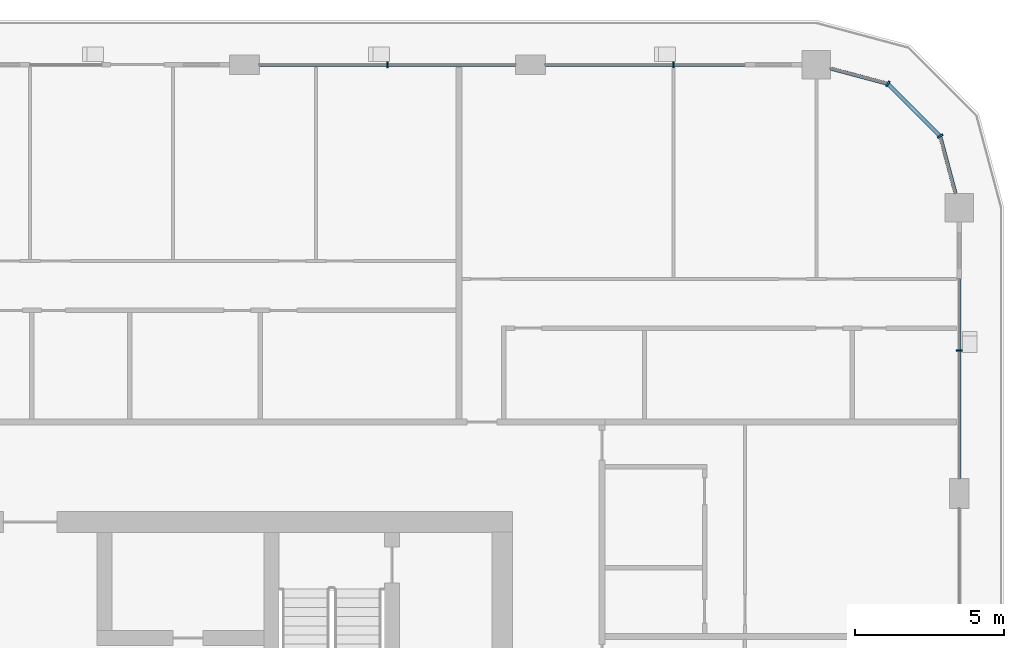
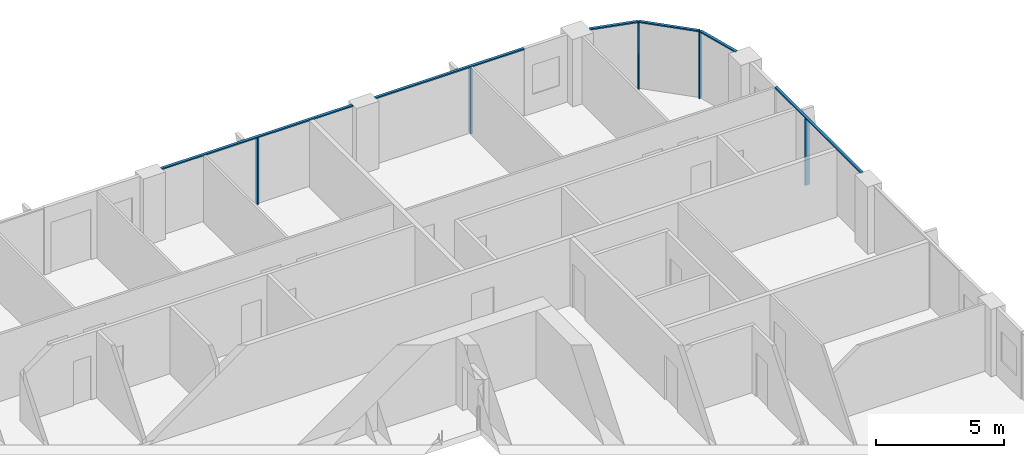
# One storey, part 6 of 23: 11 members, 4 elements without a shape of their own.
"""IFC4 building model written with IfcOpenShell, lengths in metres."""

from ifc_helpers import new_model, si_unit, direction, frame, origin, origin_2d, place, context, subcontext, project, spatial, rectangle, extrude, material, layer, layer_set, material_profile, profile_set, type_object, element, aggregate, save


model = new_model("IFC4")

# Units and contexts
model_context = context("Model", 3, precision=1e-05, world=origin(), true_north=direction((0.0, 1.0)))
body_context = subcontext(model_context, "Body", "Model", "MODEL_VIEW")
ifc_project = project(units=[si_unit("LENGTHUNIT", "METRE"), si_unit("AREAUNIT", "SQUARE_METRE"), si_unit("VOLUMEUNIT", "CUBIC_METRE"), si_unit("PLANEANGLEUNIT", "RADIAN"), si_unit("MASSUNIT", "GRAM", prefix="KILO")], contexts=[model_context])

# Site, building, storey
site_placement = place(None, origin())
site = spatial("IfcSite", under=ifc_project, at=site_placement, CompositionType="ELEMENT")
building_placement = place(site_placement, origin())
building = spatial("IfcBuilding", under=site, at=building_placement, Name="Madar Terraces", CompositionType="ELEMENT")
storey_placement = place(building_placement, frame((0.0, 0.0, 219.300048828125)))
storey = spatial("IfcBuildingStorey", under=building, at=storey_placement, Name="L57", CompositionType="ELEMENT", Elevation=219.300048828125)

# Curtain wall, member
ifc_material_1 = material(Name="Glass, ceramic frit dark grey, with black aluminium frame", Category="aluminium")
ifc_layer = layer(ifc_material_1, 0.199951171875)
ifc_layer_set = layer_set([ifc_layer], Name="Facade curtain wall, fritted glass")
curtain_wall_type = type_object("IfcCurtainWallType", Name="Facade curtain wall, fritted glass", PredefinedType="NOTDEFINED", material=ifc_layer_set)
curtain_wall_1_placement = place(storey_placement, origin())
curtain_wall_1 = element("IfcCurtainWall", 1, at=curtain_wall_1_placement, inside=storey, type_object=curtain_wall_type, Name="Outer skin curtain wall east bay 4", PredefinedType="NOTDEFINED")
ifc_material_2 = material(Name="Aluminium, black anodised", Category="aluminium")
ifc_material_profile_1 = material_profile(ifc_material_2, rectangle(XDim=0.199951171875, YDim=0.06005859375, at=origin_2d()), Name="Facade mullion 60x200")
ifc_profile_set_1 = profile_set([ifc_material_profile_1], Name="Aluminium, black anodised")
member_type_1 = type_object("IfcMemberType", Name="Facade mullion 60x200", PredefinedType="MULLION", material=ifc_profile_set_1)
member_1_placement = place(storey_placement, frame((62.39990234375, 43.199951171875, 0.0), z_axis=(0.0, 0.0, 1.0), x_axis=(-1.0, 0.0, 0.0)))
member_1 = element("IfcMember", 2, at=member_1_placement, type_object=member_type_1, Name="Mullion 1", PredefinedType="MULLION", context=body_context, shape_type="SweptSolid", body=[
    extrude(rectangle(XDim=0.199951171875, YDim=0.06005859375, at=origin_2d()), origin(), (0.0, 0.0, 1.0), 3.139892578125),
])

curtain_wall_2_placement = place(storey_placement, origin())
curtain_wall_2 = element("IfcCurtainWall", 3, at=curtain_wall_2_placement, inside=storey, type_object=curtain_wall_type, Name="Outer skin curtain wall north bay 1", PredefinedType="NOTDEFINED")
member_2_placement = place(storey_placement, frame((52.800048828125, 52.800048828125, 0.0), z_axis=(0.0, 0.0, 1.0), x_axis=(0.0, -1.0, 0.0)))
member_2 = element("IfcMember", 4, at=member_2_placement, type_object=member_type_1, Name="Mullion 1", PredefinedType="MULLION", context=body_context, shape_type="SweptSolid", body=[
    extrude(rectangle(XDim=0.199951171875, YDim=0.06005859375, at=origin_2d()), origin(), (0.0, 0.0, 1.0), 3.139892578125),
])

curtain_wall_3_placement = place(storey_placement, origin())
curtain_wall_3 = element("IfcCurtainWall", 5, at=curtain_wall_3_placement, inside=storey, type_object=curtain_wall_type, Name="Outer skin curtain wall north bay 2", PredefinedType="NOTDEFINED")
member_3_placement = place(storey_placement, frame((43.199951171875, 52.800048828125, 0.0), z_axis=(0.0, 0.0, 1.0), x_axis=(0.0, -1.0, 0.0)))
member_3 = element("IfcMember", 6, at=member_3_placement, type_object=member_type_1, Name="Mullion 1", PredefinedType="MULLION", context=body_context, shape_type="SweptSolid", body=[
    extrude(rectangle(XDim=0.199951171875, YDim=0.06005859375, at=origin_2d()), origin(), (0.0, 0.0, 1.0), 3.139892578125),
])

# Curtain wall, members
curtain_wall_4_placement = place(storey_placement, origin())
curtain_wall_4 = element("IfcCurtainWall", 7, at=curtain_wall_4_placement, inside=storey, type_object=curtain_wall_type, Name="Outer skin curtain wall north-east corner", PredefinedType="NOTDEFINED")
member_4_placement = place(storey_placement, frame((61.7568359375, 50.39990234375, 0.0), z_axis=(0.0, 0.0, 1.0), x_axis=(-0.866025409797, -0.499999989586, 0.0)))
member_4 = element("IfcMember", 8, at=member_4_placement, type_object=member_type_1, Name="Mullion 1", PredefinedType="MULLION", context=body_context, shape_type="SweptSolid", body=[
    extrude(rectangle(XDim=0.199951171875, YDim=0.06005859375, at=origin_2d()), origin(), (0.0, 0.0, 1.0), 3.139892578125),
])
member_5_placement = place(storey_placement, frame((60.0, 52.156982421875, 0.0), z_axis=(0.0, 0.0, 1.0), x_axis=(-0.499999989586, -0.866025409797, 0.0)))
member_5 = element("IfcMember", 9, at=member_5_placement, type_object=member_type_1, Name="Mullion 2", PredefinedType="MULLION", context=body_context, shape_type="SweptSolid", body=[
    extrude(rectangle(XDim=0.199951171875, YDim=0.06005859375, at=origin_2d()), origin(), (0.0, 0.0, 1.0), 3.139892578125),
])

# Member
ifc_material_3 = material(Name="Aluminium, black anodised", Category="aluminium")
ifc_material_profile_2 = material_profile(ifc_material_3, rectangle(XDim=0.1201171875, YDim=0.06005859375, at=origin_2d()), Name="Facade transom 60x120")
ifc_profile_set_2 = profile_set([ifc_material_profile_2], Name="Aluminium, black anodised")
member_type_2 = type_object("IfcMemberType", Name="Facade transom 60x120", PredefinedType="USERDEFINED", material=ifc_profile_set_2)
member_6_placement = place(storey_placement, frame((62.39990234375, 38.89990234375, 3.169921875), z_axis=(0.0, 1.0, 0.0), x_axis=(-1.0, 0.0, 0.0)))
member_6 = element("IfcMember", 10, at=member_6_placement, type_object=member_type_2, Name="Transom 1", ObjectType="TRANSOM", PredefinedType="USERDEFINED", context=body_context, shape_type="SweptSolid", body=[
    extrude(rectangle(XDim=0.1201171875, YDim=0.06005859375, at=origin_2d()), origin(), (0.0, 0.0, 1.0), 6.7001953125),
])

aggregate(curtain_wall_1, [member_1, member_6])

member_7_placement = place(storey_placement, frame((55.199951171875, 52.800048828125, 3.169921875), z_axis=(-1.0, 0.0, 0.0), x_axis=(0.0, -1.0, 0.0)))
member_7 = element("IfcMember", 11, at=member_7_placement, type_object=member_type_2, Name="Transom 1", ObjectType="TRANSOM", PredefinedType="USERDEFINED", context=body_context, shape_type="SweptSolid", body=[
    extrude(rectangle(XDim=0.1201171875, YDim=0.06005859375, at=origin_2d()), origin(), (0.0, 0.0, 1.0), 6.699951171875),
])

aggregate(curtain_wall_2, [member_2, member_7])

member_8_placement = place(storey_placement, frame((47.5, 52.800048828125, 3.169921875), z_axis=(-1.0, 0.0, 0.0), x_axis=(0.0, -1.0, 0.0)))
member_8 = element("IfcMember", 12, at=member_8_placement, type_object=member_type_2, Name="Transom 1", ObjectType="TRANSOM", PredefinedType="USERDEFINED", context=body_context, shape_type="SweptSolid", body=[
    extrude(rectangle(XDim=0.1201171875, YDim=0.06005859375, at=origin_2d()), origin(), (0.0, 0.0, 1.0), 8.60009765625),
])

aggregate(curtain_wall_3, [member_3, member_8])

member_9_placement = place(storey_placement, frame((62.272705078125, 48.47509765625, 3.169921875), z_axis=(-0.258831412352, 0.96592251241, 0.0), x_axis=(-0.96592251241, -0.258831412352, 0.0)))
member_9 = element("IfcMember", 13, at=member_9_placement, type_object=member_type_2, Name="Transom 1", ObjectType="TRANSOM", PredefinedType="USERDEFINED", context=body_context, shape_type="SweptSolid", body=[
    extrude(rectangle(XDim=0.1201171875, YDim=0.06005859375, at=origin_2d()), origin(), (0.0, 0.0, 1.0), 1.962890625),
])

member_10_placement = place(storey_placement, frame((61.735595703125, 50.421142578125, 3.169921875), z_axis=(-0.707056433593, 0.707157125196, 0.0), x_axis=(-0.707157125196, -0.707056433593, 0.0)))
member_10 = element("IfcMember", 14, at=member_10_placement, type_object=member_type_2, Name="Transom 2", ObjectType="TRANSOM", PredefinedType="USERDEFINED", context=body_context, shape_type="SweptSolid", body=[
    extrude(rectangle(XDim=0.1201171875, YDim=0.06005859375, at=origin_2d()), origin(), (0.0, 0.0, 1.0), 2.424560546875),
])

member_11_placement = place(storey_placement, frame((59.970947265625, 52.164794921875, 3.169921875), z_axis=(-0.965953602414, 0.258715360935, 0.0), x_axis=(-0.258715360935, -0.965953602414, 0.0)))
member_11 = element("IfcMember", 15, at=member_11_placement, type_object=member_type_2, Name="Transom 3", ObjectType="TRANSOM", PredefinedType="USERDEFINED", context=body_context, shape_type="SweptSolid", body=[
    extrude(rectangle(XDim=0.1201171875, YDim=0.06005859375, at=origin_2d()), origin(), (0.0, 0.0, 1.0), 1.962890625),
])

aggregate(curtain_wall_4, [member_4, member_9, member_5, member_10, member_11])

save(model, "model.ifc")
